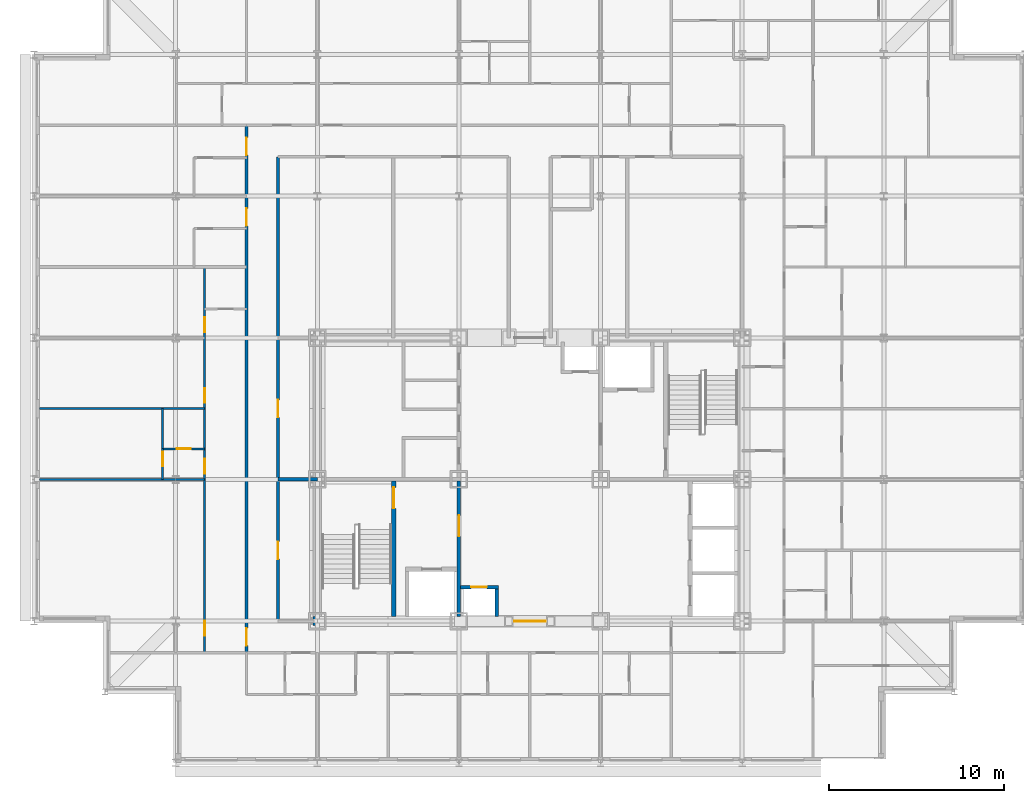
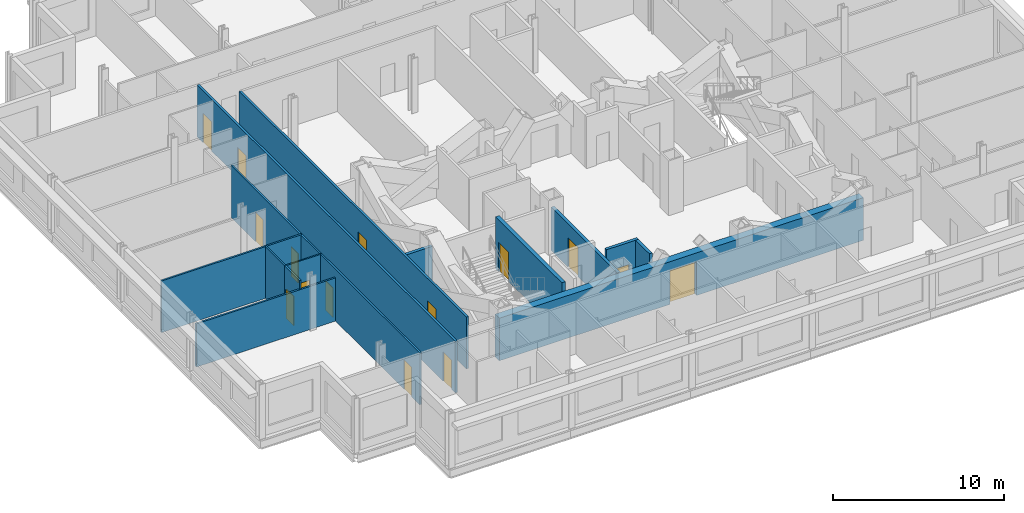
# One storey, part 8 of 15: 15 doors, 14 walls, 15 openings.
"""IFC4 building model written with IfcOpenShell, lengths in metres."""

from ifc_helpers import new_model, si_unit, direction, frame, frame_2d, origin, place, context, subcontext, project, spatial, rectangle, extrude, material, layer, layer_set, type_object, element, fill, save


model = new_model("IFC4")

# Units and contexts
model_context = context("Model", 3, precision=1e-05, world=origin(), true_north=direction((0.0, 1.0)))
body_context = subcontext(model_context, "Body", "Model", "MODEL_VIEW")
ifc_project = project(units=[si_unit("LENGTHUNIT", "METRE"), si_unit("AREAUNIT", "SQUARE_METRE"), si_unit("VOLUMEUNIT", "CUBIC_METRE"), si_unit("PLANEANGLEUNIT", "RADIAN"), si_unit("MASSUNIT", "GRAM", prefix="KILO")], contexts=[model_context])

# Site, building, storey
site_placement = place(None, origin())
site = spatial("IfcSite", under=ifc_project, at=site_placement, CompositionType="ELEMENT")
building_placement = place(site_placement, origin())
building = spatial("IfcBuilding", under=site, at=building_placement, Name="Kopane Lantern Tower", CompositionType="ELEMENT")
storey_placement = place(building_placement, frame((0.0, 0.0, 250.199951171875)))
storey = spatial("IfcBuildingStorey", under=building, at=storey_placement, Name="L64", CompositionType="ELEMENT", Elevation=250.199951171875)

# Wall, openings, doors
ifc_material_1 = material(Name="Gypsum board on steel studs", Category="steel")
ifc_layer_1 = layer(ifc_material_1, 0.1201171875)
ifc_layer_set_1 = layer_set([ifc_layer_1], Name="APARTMENT INTERNAL WALL 120")
wall_type_1 = type_object("IfcWallType", Name="APARTMENT INTERNAL WALL 120", PredefinedType="PARTITIONING", material=ifc_layer_set_1)
wall_1_placement = place(storey_placement, frame((9.75, 22.5, 0.0), z_axis=(0.0, 0.0, 1.0), x_axis=(0.0, 1.0, 0.0)))
wall_1 = element("IfcWall", 1, at=wall_1_placement, inside=storey, type_object=wall_type_1, Name="Apartment Internal Wall 120 L64", PredefinedType="PARTITIONING", context=body_context, shape_type="SweptSolid", body=[
    extrude(rectangle(XDim=22.050048828125, YDim=0.1201171875, at=frame_2d((11.02490234375, 0.0))), origin(), (0.0, 0.0, 1.0), 3.68994140625),
])
opening_1_placement = place(wall_1_placement, frame((0.97509765625, 0.0, 0.0)))
opening_1 = element("IfcOpeningElement", 2, at=opening_1_placement, cuts=wall_1, Name="Opening L64-027", PredefinedType="OPENING", context=body_context, shape_type="SweptSolid", body=[
    extrude(rectangle(XDim=0.85009765625, YDim=2.10009765625, at=frame_2d((0.425048828125, 1.050048828125))), frame((0.0, 0.070068359375, 0.0), z_axis=(0.0, -1.0, 0.0), x_axis=(1.0, 0.0, 0.0)), (0.0, 0.0, 1.0), 0.14013671875),
])
opening_2_placement = place(wall_1_placement, frame((10.22509765625, 0.0, 0.0)))
opening_2 = element("IfcOpeningElement", 3, at=opening_2_placement, cuts=wall_1, Name="Opening L64-029", PredefinedType="OPENING", context=body_context, shape_type="SweptSolid", body=[
    extrude(rectangle(XDim=0.85009765625, YDim=2.10009765625, at=frame_2d((0.425048828125, 1.050048828125))), frame((0.0, 0.070068359375, 0.0), z_axis=(0.0, -1.0, 0.0), x_axis=(1.0, 0.0, 0.0)), (0.0, 0.0, 1.0), 0.14013671875),
])
opening_3_placement = place(wall_1_placement, frame((14.27490234375, 0.0, 0.0)))
opening_3 = element("IfcOpeningElement", 4, at=opening_3_placement, cuts=wall_1, Name="Opening L64-030", PredefinedType="OPENING", context=body_context, shape_type="SweptSolid", body=[
    extrude(rectangle(XDim=0.85009765625, YDim=2.10009765625, at=frame_2d((0.425048828125, 1.050048828125))), frame((0.0, 0.070068359375, 0.0), z_axis=(0.0, -1.0, 0.0), x_axis=(1.0, 0.0, 0.0)), (0.0, 0.0, 1.0), 0.14013671875),
])
opening_4_placement = place(wall_1_placement, frame((18.324951171875, 0.0, 0.0)))
opening_4 = element("IfcOpeningElement", 5, at=opening_4_placement, cuts=wall_1, Name="Opening L64-031", PredefinedType="OPENING", context=body_context, shape_type="SweptSolid", body=[
    extrude(rectangle(XDim=0.85009765625, YDim=2.10009765625, at=frame_2d((0.425048828125, 1.050048828125))), frame((0.0, 0.070068359375, 0.0), z_axis=(0.0, -1.0, 0.0), x_axis=(1.0, 0.0, 0.0)), (0.0, 0.0, 1.0), 0.14013671875),
])
ifc_material_2 = material(Name="Timber door set", Category="wood")
door_type_1 = type_object("IfcDoorType", Name="DOOR D4 850x2100", OperationType="SINGLE_SWING_LEFT", PredefinedType="DOOR", material=ifc_material_2)
door_1_placement = place(opening_1_placement, origin())
door_1 = element("IfcDoor", 6, at=door_1_placement, inside=storey, type_object=door_type_1, Name="Door L64-027", OperationType="SINGLE_SWING_RIGHT", OverallHeight=2.10009765625, OverallWidth=0.85009765625, PredefinedType="DOOR", context=body_context, shape_type="SweptSolid", body=[
    extrude(rectangle(XDim=0.85009765625, YDim=2.10009765625, at=frame_2d((0.425048828125, 1.050048828125))), frame((0.0, 0.02490234375, 0.0), z_axis=(0.0, -1.0, 0.0), x_axis=(1.0, 0.0, 0.0)), (0.0, 0.0, 1.0), 0.050048828125),
])
fill(opening_1, door_1)
door_2_placement = place(opening_2_placement, origin())
door_2 = element("IfcDoor", 7, at=door_2_placement, inside=storey, type_object=door_type_1, Name="Door L64-029", OperationType="SINGLE_SWING_LEFT", OverallHeight=2.10009765625, OverallWidth=0.85009765625, PredefinedType="DOOR", context=body_context, shape_type="SweptSolid", body=[
    extrude(rectangle(XDim=0.85009765625, YDim=2.10009765625, at=frame_2d((0.425048828125, 1.050048828125))), frame((0.0, 0.02490234375, 0.0), z_axis=(0.0, -1.0, 0.0), x_axis=(1.0, 0.0, 0.0)), (0.0, 0.0, 1.0), 0.050048828125),
])
fill(opening_2, door_2)
door_3_placement = place(opening_3_placement, origin())
door_3 = element("IfcDoor", 8, at=door_3_placement, inside=storey, type_object=door_type_1, Name="Door L64-030", OperationType="SINGLE_SWING_LEFT", OverallHeight=2.10009765625, OverallWidth=0.85009765625, PredefinedType="DOOR", context=body_context, shape_type="SweptSolid", body=[
    extrude(rectangle(XDim=0.85009765625, YDim=2.10009765625, at=frame_2d((0.425048828125, 1.050048828125))), frame((0.0, 0.02490234375, 0.0), z_axis=(0.0, -1.0, 0.0), x_axis=(1.0, 0.0, 0.0)), (0.0, 0.0, 1.0), 0.050048828125),
])
fill(opening_3, door_3)
door_4_placement = place(opening_4_placement, origin())
door_4 = element("IfcDoor", 9, at=door_4_placement, inside=storey, type_object=door_type_1, Name="Door L64-031", OperationType="SINGLE_SWING_LEFT", OverallHeight=2.10009765625, OverallWidth=0.85009765625, PredefinedType="DOOR", context=body_context, shape_type="SweptSolid", body=[
    extrude(rectangle(XDim=0.85009765625, YDim=2.10009765625, at=frame_2d((0.425048828125, 1.050048828125))), frame((0.0, 0.02490234375, 0.0), z_axis=(0.0, -1.0, 0.0), x_axis=(1.0, 0.0, 0.0)), (0.0, 0.0, 1.0), 0.050048828125),
])
fill(opening_4, door_4)

# Walls
wall_2_placement = place(storey_placement, frame((9.75, 32.39990234375, 0.0), z_axis=(0.0, 0.0, 1.0), x_axis=(-1.0, 0.0, 0.0)))
element("IfcWall", 10, at=wall_2_placement, inside=storey, type_object=wall_type_1, Name="Apartment Internal Wall 120 L64", PredefinedType="PARTITIONING", context=body_context, shape_type="SweptSolid", body=[
    extrude(rectangle(XDim=9.449951171875, YDim=0.1201171875, at=frame_2d((4.72509765625, 0.0))), origin(), (0.0, 0.0, 1.0), 3.077880859375),
])
wall_3_placement = place(storey_placement, frame((9.75, 36.449951171875, 0.0), z_axis=(0.0, 0.0, 1.0), x_axis=(-1.0, 0.0, 0.0)))
element("IfcWall", 11, at=wall_3_placement, inside=storey, type_object=wall_type_1, Name="Apartment Internal Wall 120 L64", PredefinedType="PARTITIONING", context=body_context, shape_type="SweptSolid", body=[
    extrude(rectangle(XDim=9.449951171875, YDim=0.1201171875, at=frame_2d((4.72509765625, 0.0))), origin(), (0.0, 0.0, 1.0), 3.68994140625),
])

# Wall, opening, door
wall_4_placement = place(storey_placement, frame((7.35009765625, 32.39990234375, 0.0), z_axis=(0.0, 0.0, 1.0), x_axis=(0.0, 1.0, 0.0)))
wall_4 = element("IfcWall", 12, at=wall_4_placement, inside=storey, type_object=wall_type_1, Name="Apartment Internal Wall 120 L64", PredefinedType="PARTITIONING", context=body_context, shape_type="SweptSolid", body=[
    extrude(rectangle(XDim=1.760009765625, YDim=0.1201171875, at=frame_2d((0.8798828125, 0.0))), origin(), (0.0, 0.0, 1.0), 3.68994140625),
])
opening_5_placement = place(wall_4_placement, frame((0.75, 0.0, 0.0)))
opening_5 = element("IfcOpeningElement", 13, at=opening_5_placement, cuts=wall_4, Name="Opening L64-062", PredefinedType="OPENING", context=body_context, shape_type="SweptSolid", body=[
    extrude(rectangle(XDim=0.85009765625, YDim=2.10009765625, at=frame_2d((0.425048828125, 1.050048828125))), frame((0.0, 0.070068359375, 0.0), z_axis=(0.0, -1.0, 0.0), x_axis=(1.0, 0.0, 0.0)), (0.0, 0.0, 1.0), 0.14013671875),
])
door_5_placement = place(opening_5_placement, origin())
door_5 = element("IfcDoor", 14, at=door_5_placement, inside=storey, type_object=door_type_1, Name="Door L64-062", OperationType="SINGLE_SWING_LEFT", OverallHeight=2.10009765625, OverallWidth=0.85009765625, PredefinedType="DOOR", context=body_context, shape_type="SweptSolid", body=[
    extrude(rectangle(XDim=0.85009765625, YDim=2.10009765625, at=frame_2d((0.425048828125, 1.050048828125))), frame((0.0, 0.02490234375, 0.0), z_axis=(0.0, -1.0, 0.0), x_axis=(1.0, 0.0, 0.0)), (0.0, 0.0, 1.0), 0.050048828125),
])
fill(opening_5, door_5)

ifc_material_3 = material(Name="Moisture-resistant board on steel studs", Category="steel")
ifc_layer_2 = layer(ifc_material_3, 0.10009765625)
ifc_layer_set_2 = layer_set([ifc_layer_2], Name="BATHROOM WALL 100")
wall_type_2 = type_object("IfcWallType", Name="BATHROOM WALL 100", PredefinedType="PARTITIONING", material=ifc_layer_set_2)
wall_5_placement = place(storey_placement, frame((9.75, 34.14990234375, 0.0), z_axis=(0.0, 0.0, 1.0), x_axis=(-1.0, 0.0, 0.0)))
wall_5 = element("IfcWall", 15, at=wall_5_placement, inside=storey, type_object=wall_type_2, Name="Bathroom Wall 100 L64", PredefinedType="PARTITIONING", context=body_context, shape_type="SweptSolid", body=[
    extrude(rectangle(XDim=2.39990234375, YDim=0.10009765625, at=frame_2d((1.199951171875, 0.0))), origin(), (0.0, 0.0, 1.0), 3.68994140625),
])
opening_6_placement = place(wall_5_placement, frame((0.800048828125, 0.0, 0.0)))
opening_6 = element("IfcOpeningElement", 16, at=opening_6_placement, cuts=wall_5, Name="Opening L64-028", PredefinedType="OPENING", context=body_context, shape_type="SweptSolid", body=[
    extrude(rectangle(XDim=0.800048828125, YDim=2.10009765625, at=frame_2d((0.39990234375, 1.050048828125))), frame((0.0, 0.06005859375, 0.0), z_axis=(0.0, -1.0, 0.0), x_axis=(1.0, 0.0, 0.0)), (0.0, 0.0, 1.0), 0.1201171875),
])
ifc_material_4 = material(Name="Timber door set", Category="wood")
door_type_2 = type_object("IfcDoorType", Name="DOOR D2 800x2100", OperationType="SINGLE_SWING_LEFT", PredefinedType="DOOR", material=ifc_material_4)
door_6_placement = place(opening_6_placement, origin())
door_6 = element("IfcDoor", 17, at=door_6_placement, inside=storey, type_object=door_type_2, Name="Door L64-028", OperationType="SINGLE_SWING_RIGHT", OverallHeight=2.10009765625, OverallWidth=0.800048828125, PredefinedType="DOOR", context=body_context, shape_type="SweptSolid", body=[
    extrude(rectangle(XDim=0.800048828125, YDim=2.10009765625, at=frame_2d((0.39990234375, 1.050048828125))), frame((0.0, 0.02490234375, 0.0), z_axis=(0.0, -1.0, 0.0), x_axis=(1.0, 0.0, 0.0)), (0.0, 0.0, 1.0), 0.050048828125),
])
fill(opening_6, door_6)

# Wall
wall_6_placement = place(storey_placement, frame((7.35009765625, 34.14990234375, 0.0), z_axis=(0.0, 0.0, 1.0), x_axis=(0.0, 1.0, 0.0)))
element("IfcWall", 18, at=wall_6_placement, inside=storey, type_object=wall_type_2, Name="Bathroom Wall 100 L64", PredefinedType="PARTITIONING", context=body_context, shape_type="SweptSolid", body=[
    extrude(rectangle(XDim=2.300048828125, YDim=0.10009765625, at=frame_2d((1.14990234375, 0.0))), origin(), (0.0, 0.0, 1.0), 3.68994140625),
])

# Wall, opening, door
ifc_material_5 = material(Name="Gypsum shaft wall EI 120", Category="gypsum")
ifc_layer_3 = layer(ifc_material_5, 0.5)
ifc_layer_set_3 = layer_set([ifc_layer_3], Name="CORE PERIMETER WALL 500 EI 120")
wall_type_3 = type_object("IfcWallType", Name="CORE PERIMETER WALL 500 EI 120", PredefinedType="SOLIDWALL", material=ifc_layer_set_3)
wall_7_placement = place(storey_placement, frame((15.949951171875, 24.300048828125, 0.0), z_axis=(0.0, 0.0, 1.0), x_axis=(1.0, 0.0, 0.0)))
wall_7 = element("IfcWall", 19, at=wall_7_placement, inside=storey, type_object=wall_type_3, Name="Core shaft wall L64 PS", PredefinedType="SOLIDWALL", context=body_context, shape_type="SweptSolid", body=[
    extrude(rectangle(XDim=24.550048828125, YDim=0.5, at=frame_2d((12.27490234375, 0.0))), origin(), (0.0, 0.0, 1.0), 3.0400390625),
])
opening_7_placement = place(wall_7_placement, frame((11.5, 0.0, 0.0)))
opening_7 = element("IfcOpeningElement", 20, at=opening_7_placement, cuts=wall_7, Name="Opening 64.CE-S", PredefinedType="OPENING", context=body_context, shape_type="SweptSolid", body=[
    extrude(rectangle(XDim=1.800048828125, YDim=2.39990234375, at=frame_2d((0.89990234375, 1.199951171875))), frame((0.0, 0.260009765625, 0.0), z_axis=(0.0, -1.0, 0.0), x_axis=(1.0, 0.0, 0.0)), (0.0, 0.0, 1.0), 0.52001953125),
])
ifc_material_6 = material(Name="Steel door set", Category="steel")
door_type_3 = type_object("IfcDoorType", Name="CORE ENTRY DOOR 1800x2400 FD60S", OperationType="DOUBLE_DOOR_SINGLE_SWING", PredefinedType="DOOR", material=ifc_material_6)
door_7_placement = place(opening_7_placement, origin())
door_7 = element("IfcDoor", 21, at=door_7_placement, inside=storey, type_object=door_type_3, Name="Core entry door L64 south", OperationType="DOUBLE_DOOR_SINGLE_SWING", OverallHeight=2.39990234375, OverallWidth=1.800048828125, PredefinedType="DOOR", context=body_context, shape_type="SweptSolid", body=[
    extrude(rectangle(XDim=1.800048828125, YDim=2.39990234375, at=frame_2d((0.89990234375, 1.199951171875))), frame((0.0, 0.02490234375, 0.0), z_axis=(0.0, -1.0, 0.0), x_axis=(1.0, 0.0, 0.0)), (0.0, 0.0, 1.0), 0.050048828125),
])
fill(opening_7, door_7)

ifc_material_7 = material(Name="Gypsum shaft wall EI 120", Category="gypsum")
ifc_layer_4 = layer(ifc_material_7, 0.25)
ifc_layer_set_4 = layer_set([ifc_layer_4], Name="CORE SHAFT WALL 250 EI 120")
wall_type_4 = type_object("IfcWallType", Name="CORE SHAFT WALL 250 EI 120", PredefinedType="SOLIDWALL", material=ifc_layer_set_4)
wall_8_placement = place(storey_placement, frame((20.574951171875, 24.550048828125, 0.0), z_axis=(0.0, 0.0, 1.0), x_axis=(0.0, 1.0, 0.0)))
wall_8 = element("IfcWall", 22, at=wall_8_placement, inside=storey, type_object=wall_type_4, Name="Core shaft wall L64 XST1", PredefinedType="SOLIDWALL", context=body_context, shape_type="SweptSolid", body=[
    extrude(rectangle(XDim=7.75, YDim=0.25, at=frame_2d((3.875, 0.0))), origin(), (0.0, 0.0, 1.0), 3.68994140625),
])
opening_8_placement = place(wall_8_placement, frame((6.199951171875, 0.0, 0.0)))
opening_8 = element("IfcOpeningElement", 23, at=opening_8_placement, cuts=wall_8, Name="Opening 64.SD1", PredefinedType="OPENING", context=body_context, shape_type="SweptSolid", body=[
    extrude(rectangle(XDim=1.199951171875, YDim=2.10009765625, at=frame_2d((0.60009765625, 1.050048828125))), frame((0.0, 0.135009765625, 0.0), z_axis=(0.0, -1.0, 0.0), x_axis=(1.0, 0.0, 0.0)), (0.0, 0.0, 1.0), 0.27001953125),
])
ifc_material_8 = material(Name="Steel door set", Category="steel")
door_type_4 = type_object("IfcDoorType", Name="STAIR DOOR 1200x2100 FD60S", OperationType="SINGLE_SWING_LEFT", PredefinedType="DOOR", material=ifc_material_8)
door_8_placement = place(opening_8_placement, origin())
door_8 = element("IfcDoor", 24, at=door_8_placement, inside=storey, type_object=door_type_4, Name="Stair door ST1 L64", OperationType="SINGLE_SWING_LEFT", OverallHeight=2.10009765625, OverallWidth=1.199951171875, PredefinedType="DOOR", context=body_context, shape_type="SweptSolid", body=[
    extrude(rectangle(XDim=1.199951171875, YDim=2.10009765625, at=frame_2d((0.60009765625, 1.050048828125))), frame((0.0, 0.02490234375, 0.0), z_axis=(0.0, -1.0, 0.0), x_axis=(1.0, 0.0, 0.0)), (0.0, 0.0, 1.0), 0.050048828125),
])
fill(opening_8, door_8)

# Wall, openings, doors
ifc_material_9 = material(Name="Gypsum board on steel studs", Category="steel")
ifc_layer_5 = layer(ifc_material_9, 0.14990234375)
ifc_layer_set_5 = layer_set([ifc_layer_5], Name="CORRIDOR WALL 150 EI 60")
wall_type_5 = type_object("IfcWallType", Name="CORRIDOR WALL 150 EI 60", PredefinedType="PARTITIONING", material=ifc_layer_set_5)
wall_9_placement = place(storey_placement, frame((12.14990234375, 22.5, 0.0), z_axis=(0.0, 0.0, 1.0), x_axis=(0.0, 1.0, 0.0)))
wall_9 = element("IfcWall", 25, at=wall_9_placement, inside=storey, type_object=wall_type_5, Name="Corridor Wall 150 Ei 60 L64", PredefinedType="PARTITIONING", context=body_context, shape_type="SweptSolid", body=[
    extrude(rectangle(XDim=30.14990234375, YDim=0.14990234375, at=frame_2d((15.074951171875, 0.0))), origin(), (0.0, 0.0, 1.0), 3.68994140625),
])
opening_9_placement = place(wall_9_placement, frame((0.39990234375, 0.0, 0.0)))
opening_9 = element("IfcOpeningElement", 26, at=opening_9_placement, cuts=wall_9, Name="Opening L64-026", PredefinedType="OPENING", context=body_context, shape_type="SweptSolid", body=[
    extrude(rectangle(XDim=1.0, YDim=2.10009765625, at=frame_2d((0.5, 1.050048828125))), frame((0.0, 0.0849609375, 0.0), z_axis=(0.0, -1.0, 0.0), x_axis=(1.0, 0.0, 0.0)), (0.0, 0.0, 1.0), 0.169921875),
])
opening_10_placement = place(wall_9_placement, frame((24.39990234375, 0.0, 0.0)))
opening_10 = element("IfcOpeningElement", 27, at=opening_10_placement, cuts=wall_9, Name="Opening L64-033", PredefinedType="OPENING", context=body_context, shape_type="SweptSolid", body=[
    extrude(rectangle(XDim=1.0, YDim=2.10009765625, at=frame_2d((0.5, 1.050048828125))), frame((0.0, 0.0849609375, 0.0), z_axis=(0.0, -1.0, 0.0), x_axis=(1.0, 0.0, 0.0)), (0.0, 0.0, 1.0), 0.169921875),
])
opening_11_placement = place(wall_9_placement, frame((28.449951171875, 0.0, 0.0)))
opening_11 = element("IfcOpeningElement", 28, at=opening_11_placement, cuts=wall_9, Name="Opening L64-035", PredefinedType="OPENING", context=body_context, shape_type="SweptSolid", body=[
    extrude(rectangle(XDim=1.0, YDim=2.10009765625, at=frame_2d((0.5, 1.050048828125))), frame((0.0, 0.0849609375, 0.0), z_axis=(0.0, -1.0, 0.0), x_axis=(1.0, 0.0, 0.0)), (0.0, 0.0, 1.0), 0.169921875),
])
ifc_material_10 = material(Name="Steel door set", Category="steel")
door_type_5 = type_object("IfcDoorType", Name="DOOR D3 1000x2100 FD30S", OperationType="SINGLE_SWING_LEFT", PredefinedType="DOOR", material=ifc_material_10)
door_9_placement = place(opening_9_placement, origin())
door_9 = element("IfcDoor", 29, at=door_9_placement, inside=storey, type_object=door_type_5, Name="Door L64-026", OperationType="SINGLE_SWING_LEFT", OverallHeight=2.10009765625, OverallWidth=1.0, PredefinedType="DOOR", context=body_context, shape_type="SweptSolid", body=[
    extrude(rectangle(XDim=1.0, YDim=2.10009765625, at=frame_2d((0.5, 1.050048828125))), frame((0.0, 0.02490234375, 0.0), z_axis=(0.0, -1.0, 0.0), x_axis=(1.0, 0.0, 0.0)), (0.0, 0.0, 1.0), 0.050048828125),
])
fill(opening_9, door_9)
door_10_placement = place(opening_10_placement, origin())
door_10 = element("IfcDoor", 30, at=door_10_placement, inside=storey, type_object=door_type_5, Name="Door L64-033", OperationType="SINGLE_SWING_LEFT", OverallHeight=2.10009765625, OverallWidth=1.0, PredefinedType="DOOR", context=body_context, shape_type="SweptSolid", body=[
    extrude(rectangle(XDim=1.0, YDim=2.10009765625, at=frame_2d((0.5, 1.050048828125))), frame((0.0, 0.02490234375, 0.0), z_axis=(0.0, -1.0, 0.0), x_axis=(1.0, 0.0, 0.0)), (0.0, 0.0, 1.0), 0.050048828125),
])
fill(opening_10, door_10)
door_11_placement = place(opening_11_placement, origin())
door_11 = element("IfcDoor", 31, at=door_11_placement, inside=storey, type_object=door_type_5, Name="Door L64-035", OperationType="SINGLE_SWING_LEFT", OverallHeight=2.10009765625, OverallWidth=1.0, PredefinedType="DOOR", context=body_context, shape_type="SweptSolid", body=[
    extrude(rectangle(XDim=1.0, YDim=2.10009765625, at=frame_2d((0.5, 1.050048828125))), frame((0.0, 0.02490234375, 0.0), z_axis=(0.0, -1.0, 0.0), x_axis=(1.0, 0.0, 0.0)), (0.0, 0.0, 1.0), 0.050048828125),
])
fill(opening_11, door_11)

wall_10_placement = place(storey_placement, frame((13.949951171875, 24.300048828125, 0.0), z_axis=(0.0, 0.0, 1.0), x_axis=(0.0, 1.0, 0.0)))
wall_10 = element("IfcWall", 32, at=wall_10_placement, inside=storey, type_object=wall_type_5, Name="Corridor Wall 150 Ei 60 L64", PredefinedType="PARTITIONING", context=body_context, shape_type="SweptSolid", body=[
    extrude(rectangle(XDim=26.550048828125, YDim=0.14990234375, at=frame_2d((13.27490234375, 0.0))), origin(), (0.0, 0.0, 1.0), 3.68994140625),
])
opening_12_placement = place(wall_10_placement, frame((3.550048828125, 0.0, 0.0)))
opening_12 = element("IfcOpeningElement", 33, at=opening_12_placement, cuts=wall_10, Name="Opening L64-001", PredefinedType="OPENING", context=body_context, shape_type="SweptSolid", body=[
    extrude(rectangle(XDim=1.0, YDim=2.10009765625, at=frame_2d((0.5, 1.050048828125))), frame((0.0, 0.0849609375, 0.0), z_axis=(0.0, -1.0, 0.0), x_axis=(1.0, 0.0, 0.0)), (0.0, 0.0, 1.0), 0.169921875),
])
opening_13_placement = place(wall_10_placement, frame((11.64990234375, 0.0, 0.0)))
opening_13 = element("IfcOpeningElement", 34, at=opening_13_placement, cuts=wall_10, Name="Opening L64-002", PredefinedType="OPENING", context=body_context, shape_type="SweptSolid", body=[
    extrude(rectangle(XDim=1.0, YDim=2.10009765625, at=frame_2d((0.5, 1.050048828125))), frame((0.0, 0.0849609375, 0.0), z_axis=(0.0, -1.0, 0.0), x_axis=(1.0, 0.0, 0.0)), (0.0, 0.0, 1.0), 0.169921875),
])
ifc_material_11 = material(Name="Steel door set", Category="steel")
door_type_6 = type_object("IfcDoorType", Name="DOOR D5 1000x2100 FD60", OperationType="SINGLE_SWING_LEFT", PredefinedType="DOOR", material=ifc_material_11)
door_12_placement = place(opening_12_placement, origin())
door_12 = element("IfcDoor", 35, at=door_12_placement, inside=storey, type_object=door_type_6, Name="Door L64-001", OperationType="SINGLE_SWING_RIGHT", OverallHeight=2.10009765625, OverallWidth=1.0, PredefinedType="DOOR", context=body_context, shape_type="SweptSolid", body=[
    extrude(rectangle(XDim=1.0, YDim=2.10009765625, at=frame_2d((0.5, 1.050048828125))), frame((0.0, 0.02490234375, 0.0), z_axis=(0.0, -1.0, 0.0), x_axis=(1.0, 0.0, 0.0)), (0.0, 0.0, 1.0), 0.050048828125),
])
fill(opening_12, door_12)
door_13_placement = place(opening_13_placement, origin())
door_13 = element("IfcDoor", 36, at=door_13_placement, inside=storey, type_object=door_type_6, Name="Door L64-002", OperationType="SINGLE_SWING_LEFT", OverallHeight=2.10009765625, OverallWidth=1.0, PredefinedType="DOOR", context=body_context, shape_type="SweptSolid", body=[
    extrude(rectangle(XDim=1.0, YDim=2.10009765625, at=frame_2d((0.5, 1.050048828125))), frame((0.0, 0.02490234375, 0.0), z_axis=(0.0, -1.0, 0.0), x_axis=(1.0, 0.0, 0.0)), (0.0, 0.0, 1.0), 0.050048828125),
])
fill(opening_13, door_13)

# Wall
ifc_material_12 = material(Name="Concrete masonry", Category="masonry")
ifc_layer_6 = layer(ifc_material_12, 0.199951171875)
ifc_layer_set_6 = layer_set([ifc_layer_6], Name="PLANT ROOM WALL 200 EI 120")
wall_type_6 = type_object("IfcWallType", Name="PLANT ROOM WALL 200 EI 120", PredefinedType="SOLIDWALL", material=ifc_layer_set_6)
wall_11_placement = place(storey_placement, frame((13.949951171875, 32.39990234375, 0.0), z_axis=(0.0, 0.0, 1.0), x_axis=(1.0, 0.0, 0.0)))
element("IfcWall", 37, at=wall_11_placement, inside=storey, type_object=wall_type_6, Name="Plant Room Wall 200 Ei 120 L64", PredefinedType="SOLIDWALL", context=body_context, shape_type="SweptSolid", body=[
    extrude(rectangle(XDim=2.25, YDim=0.199951171875, at=frame_2d((1.125, 0.0))), origin(), (0.0, 0.0, 1.0), 3.077880859375),
])

# Wall, opening, door
ifc_material_13 = material(Name="Gypsum shaft wall EI 120", Category="gypsum")
ifc_layer_7 = layer(ifc_material_13, 0.199951171875)
ifc_layer_set_7 = layer_set([ifc_layer_7], Name="SHAFT WALL 200 EI 120")
wall_type_7 = type_object("IfcWallType", Name="SHAFT WALL 200 EI 120", PredefinedType="SOLIDWALL", material=ifc_layer_set_7)
wall_12_placement = place(storey_placement, frame((24.300048828125, 24.550048828125, 0.0), z_axis=(0.0, 0.0, 1.0), x_axis=(0.0, 1.0, 0.0)))
wall_12 = element("IfcWall", 38, at=wall_12_placement, inside=storey, type_object=wall_type_7, Name="Core shaft wall L64 X243", PredefinedType="SOLIDWALL", context=body_context, shape_type="SweptSolid", body=[
    extrude(rectangle(XDim=7.75, YDim=0.199951171875, at=frame_2d((3.875, 0.0))), origin(), (0.0, 0.0, 1.0), 3.077880859375),
])
opening_14_placement = place(wall_12_placement, frame((4.60009765625, 0.0, 0.0)))
opening_14 = element("IfcOpeningElement", 39, at=opening_14_placement, cuts=wall_12, Name="Opening 64.FL1", PredefinedType="OPENING", context=body_context, shape_type="SweptSolid", body=[
    extrude(rectangle(XDim=1.199951171875, YDim=2.10009765625, at=frame_2d((0.60009765625, 1.050048828125))), frame((0.0, 0.10986328125, 0.0), z_axis=(0.0, -1.0, 0.0), x_axis=(1.0, 0.0, 0.0)), (0.0, 0.0, 1.0), 0.219970703125),
])
ifc_material_14 = material(Name="Steel door set", Category="steel")
door_type_7 = type_object("IfcDoorType", Name="FIREFIGHTING LOBBY DOOR 1200x2100 FD60S", OperationType="SINGLE_SWING_RIGHT", PredefinedType="DOOR", material=ifc_material_14)
door_14_placement = place(opening_14_placement, origin())
door_14 = element("IfcDoor", 40, at=door_14_placement, inside=storey, type_object=door_type_7, Name="Firefighting lobby door FL1 L64", OperationType="SINGLE_SWING_LEFT", OverallHeight=2.10009765625, OverallWidth=1.199951171875, PredefinedType="DOOR", context=body_context, shape_type="SweptSolid", body=[
    extrude(rectangle(XDim=1.199951171875, YDim=2.10009765625, at=frame_2d((0.60009765625, 1.050048828125))), frame((0.0, 0.02490234375, 0.0), z_axis=(0.0, -1.0, 0.0), x_axis=(1.0, 0.0, 0.0)), (0.0, 0.0, 1.0), 0.050048828125),
])
fill(opening_14, door_14)

# Wall
wall_13_placement = place(storey_placement, frame((26.449951171875, 24.550048828125, 0.0), z_axis=(0.0, 0.0, 1.0), x_axis=(0.0, 1.0, 0.0)))
element("IfcWall", 41, at=wall_13_placement, inside=storey, type_object=wall_type_7, Name="Core shaft wall L64 XRS1", PredefinedType="SOLIDWALL", context=body_context, shape_type="SweptSolid", body=[
    extrude(rectangle(XDim=1.599853515625, YDim=0.199951171875, at=frame_2d((0.7998046875, 0.0))), origin(), (0.0, 0.0, 1.0), 3.68994140625),
])

# Wall, opening, door
wall_14_placement = place(storey_placement, frame((24.39990234375, 26.25, 0.0), z_axis=(0.0, 0.0, 1.0), x_axis=(1.0, 0.0, 0.0)))
wall_14 = element("IfcWall", 42, at=wall_14_placement, inside=storey, type_object=wall_type_7, Name="Core shaft wall L64 YRS1", PredefinedType="SOLIDWALL", context=body_context, shape_type="SweptSolid", body=[
    extrude(rectangle(XDim=2.150146484375, YDim=0.199951171875, at=frame_2d((1.0751953125, 0.0))), origin(), (0.0, 0.0, 1.0), 3.68994140625),
])
opening_15_placement = place(wall_14_placement, frame((0.60009765625, 0.0, 0.0)))
opening_15 = element("IfcOpeningElement", 43, at=opening_15_placement, cuts=wall_14, Name="Opening 64.RS1", PredefinedType="OPENING", context=body_context, shape_type="SweptSolid", body=[
    extrude(rectangle(XDim=0.89990234375, YDim=2.10009765625, at=frame_2d((0.449951171875, 1.050048828125))), frame((0.0, 0.10986328125, 0.0), z_axis=(0.0, -1.0, 0.0), x_axis=(1.0, 0.0, 0.0)), (0.0, 0.0, 1.0), 0.219970703125),
])
ifc_material_15 = material(Name="Steel door set", Category="steel")
door_type_8 = type_object("IfcDoorType", Name="RISER ACCESS DOOR 900x2100 FD60", OperationType="SINGLE_SWING_LEFT", PredefinedType="DOOR", material=ifc_material_15)
door_15_placement = place(opening_15_placement, origin())
door_15 = element("IfcDoor", 44, at=door_15_placement, inside=storey, type_object=door_type_8, Name="Riser access door RS1 L64", OperationType="SINGLE_SWING_LEFT", OverallHeight=2.10009765625, OverallWidth=0.89990234375, PredefinedType="DOOR", context=body_context, shape_type="SweptSolid", body=[
    extrude(rectangle(XDim=0.89990234375, YDim=2.10009765625, at=frame_2d((0.449951171875, 1.050048828125))), frame((0.0, 0.02490234375, 0.0), z_axis=(0.0, -1.0, 0.0), x_axis=(1.0, 0.0, 0.0)), (0.0, 0.0, 1.0), 0.050048828125),
])
fill(opening_15, door_15)

save(model, "model.ifc")
